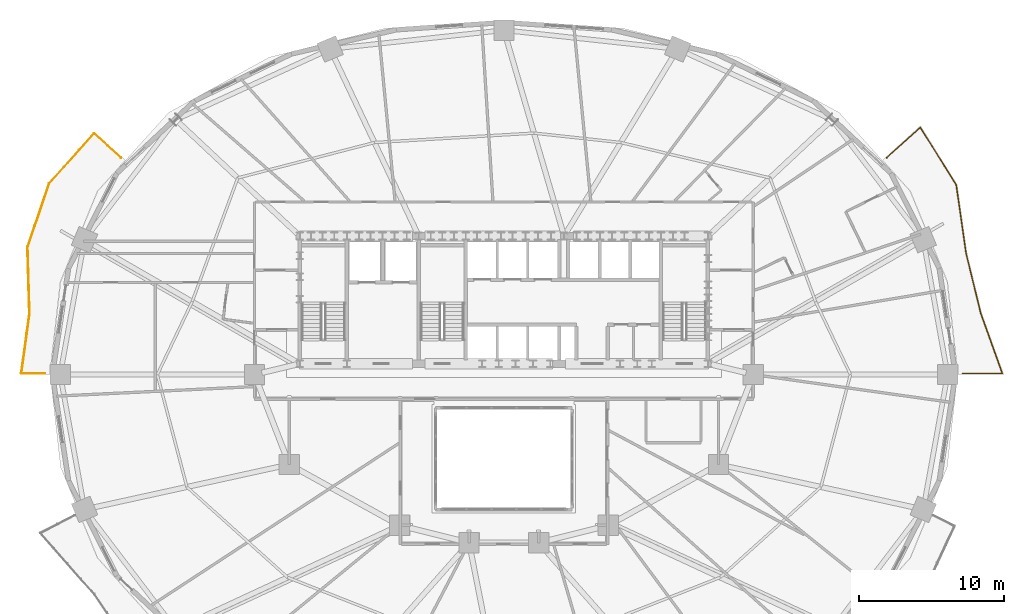
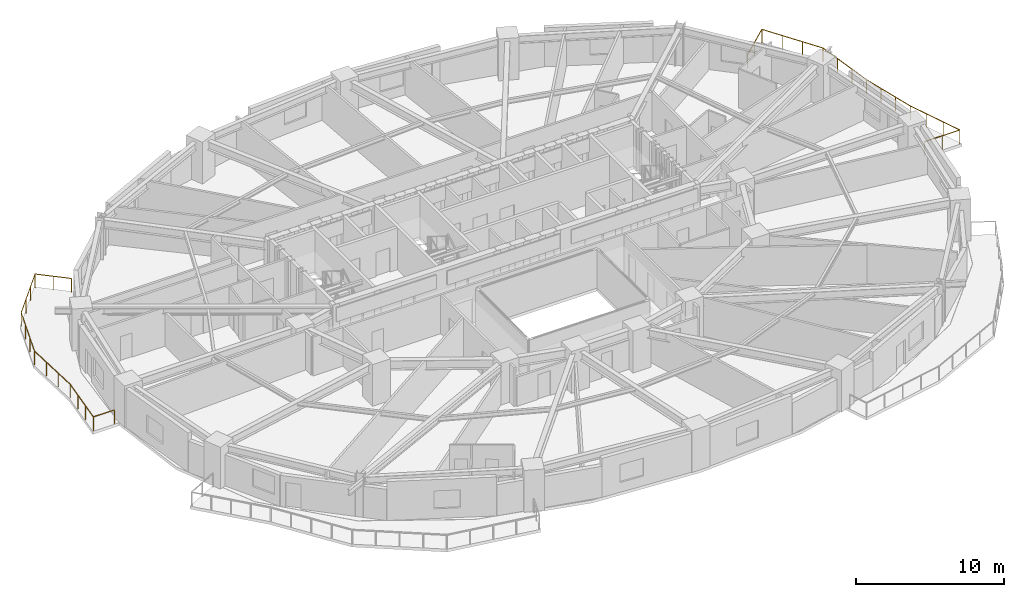
# One storey, part 17 of 17: 2 railings.
"""IFC4 building model written with IfcOpenShell, lengths in metres."""

from ifc_helpers import new_model, si_unit, direction, frame, origin, origin_2d, place, context, subcontext, project, spatial, rectangle, extrude, material, type_object, element, save


model = new_model("IFC4")

# Units and contexts
model_context = context("Model", 3, precision=1e-05, world=origin(), true_north=direction((0.0, 1.0)))
body_context = subcontext(model_context, "Body", "Model", "MODEL_VIEW")
ifc_project = project(units=[si_unit("LENGTHUNIT", "METRE"), si_unit("AREAUNIT", "SQUARE_METRE"), si_unit("VOLUMEUNIT", "CUBIC_METRE"), si_unit("PLANEANGLEUNIT", "RADIAN"), si_unit("MASSUNIT", "GRAM", prefix="KILO")], contexts=[model_context])

# Site, building, storey
site_placement = place(None, origin())
site = spatial("IfcSite", under=ifc_project, at=site_placement, CompositionType="ELEMENT")
building_placement = place(site_placement, origin())
building = spatial("IfcBuilding", under=site, at=building_placement, Name="Haldorwick Loom Tower", CompositionType="ELEMENT")
storey_placement = place(building_placement, frame((0.0, 0.0, 65.39990234375)))
storey = spatial("IfcBuildingStorey", under=building, at=storey_placement, Name="L17", CompositionType="ELEMENT", Elevation=65.39990234375)

# Railings
ifc_material = material(Name="Galvanized Steel CSA G40.21 350W", Category="steel")
railing_type = type_object("IfcRailingType", Name="ARC-RLG-BAL115", PredefinedType="BALUSTRADE", material=ifc_material)
railing_1_placement = place(storey_placement, frame((4.36083984375, 26.080078125, 0.0)))
element("IfcRailing", 1, at=railing_1_placement, inside=storey, type_object=railing_type, Name="L17 Outdoor Terrace Guardrail SLB-L17-BAL_WNW-1", PredefinedType="BALUSTRADE", context=body_context, shape_type="SweptSolid", body=[
    extrude(rectangle(XDim=0.048095703125, YDim=0.048095703125, at=origin_2d()), frame((0.0, 0.0, 1.1259765625), z_axis=(-1.0, 0.0, 0.0), x_axis=(0.0, -1.0, 0.0)), (0.0, 0.0, 1.0), 1.63671875),
    extrude(rectangle(XDim=0.048095703125, YDim=0.048095703125, at=origin_2d()), frame((-1.63671875, 0.0, 1.1259765625), z_axis=(0.136057133851, 0.990700992393, 0.0), x_axis=(-0.990700992393, 0.136057133851, 0.0)), (0.0, 0.0, 1.0), 4.143310546875),
    extrude(rectangle(XDim=0.048095703125, YDim=0.048095703125, at=origin_2d()), frame((-1.072998046875, 4.104736328125, 1.1259765625), z_axis=(0.073871685515, 0.997267754457, 0.0), x_axis=(-0.997267754457, 0.073871685515, 0.0)), (0.0, 0.0, 1.0), 0.006591796875),
    extrude(rectangle(XDim=0.048095703125, YDim=0.048095703125, at=origin_2d()), frame((-1.072509765625, 4.111328125, 1.1259765625), z_axis=(0.03701166051, 0.999314833767, 0.0), x_axis=(-0.999314833767, 0.03701166051, 0.0)), (0.0, 0.0, 1.0), 0.006591796875),
    extrude(rectangle(XDim=0.048095703125, YDim=0.048095703125, at=origin_2d()), frame((-1.072265625, 4.117919921875, 1.1259765625), z_axis=(-0.029323982947, 0.999569959545, 0.0), x_axis=(-0.999569959545, -0.029323982947, 0.0)), (0.0, 0.0, 1.0), 4.58740234375),
    extrude(rectangle(XDim=0.048095703125, YDim=0.048095703125, at=origin_2d()), frame((-1.206787109375, 8.703369140625, 1.1259765625), z_axis=(0.32182984281, 0.946797524435, 0.0), x_axis=(-0.946797524435, 0.32182984281, 0.0)), (0.0, 0.0, 1.0), 4.623779296875),
    extrude(rectangle(XDim=0.048095703125, YDim=0.048095703125, at=origin_2d()), frame((0.28125, 13.0810546875, 1.1259765625), z_axis=(0.664640925369, 0.747162927563, 0.0), x_axis=(-0.747162927563, 0.664640925369, 0.0)), (0.0, 0.0, 1.0), 4.647705078125),
    extrude(rectangle(XDim=0.048095703125, YDim=0.048095703125, at=origin_2d()), frame((3.370361328125, 16.5537109375, 1.1259765625), z_axis=(0.74353574083, -0.668696195674, 0.0), x_axis=(0.668696195674, 0.74353574083, 0.0)), (0.0, 0.0, 1.0), 2.511962890625),
    extrude(rectangle(XDim=0.0419921875, YDim=0.0419921875, at=origin_2d()), origin(), (0.0, 0.0, 1.0), 1.101806640625),
    extrude(rectangle(XDim=0.0419921875, YDim=0.0419921875, at=origin_2d()), frame((-1.63671875, 0.0, 0.0)), (0.0, 0.0, 1.0), 1.101806640625),
    extrude(rectangle(XDim=0.0419921875, YDim=0.0419921875, at=origin_2d()), frame((-1.44873046875, 1.3681640625, 0.0)), (0.0, 0.0, 1.0), 1.101806640625),
    extrude(rectangle(XDim=0.0419921875, YDim=0.0419921875, at=origin_2d()), frame((-1.260986328125, 2.736572265625, 0.0)), (0.0, 0.0, 1.0), 1.101806640625),
    extrude(rectangle(XDim=0.0419921875, YDim=0.0419921875, at=origin_2d()), frame((-1.072998046875, 4.104736328125, 0.0)), (0.0, 0.0, 1.0), 1.101806640625),
    extrude(rectangle(XDim=0.0419921875, YDim=0.0419921875, at=origin_2d()), frame((-1.1171875, 5.646484375, 0.0)), (0.0, 0.0, 1.0), 1.101806640625),
    extrude(rectangle(XDim=0.0419921875, YDim=0.0419921875, at=origin_2d()), frame((-1.161865234375, 7.1748046875, 0.0)), (0.0, 0.0, 1.0), 1.101806640625),
    extrude(rectangle(XDim=0.0419921875, YDim=0.0419921875, at=origin_2d()), frame((-1.206787109375, 8.703369140625, 0.0)), (0.0, 0.0, 1.0), 1.101806640625),
    extrude(rectangle(XDim=0.0419921875, YDim=0.0419921875, at=origin_2d()), frame((-0.710693359375, 10.16259765625, 0.0)), (0.0, 0.0, 1.0), 1.101806640625),
    extrude(rectangle(XDim=0.0419921875, YDim=0.0419921875, at=origin_2d()), frame((-0.21484375, 11.621826171875, 0.0)), (0.0, 0.0, 1.0), 1.101806640625),
    extrude(rectangle(XDim=0.0419921875, YDim=0.0419921875, at=origin_2d()), frame((0.28125, 13.0810546875, 0.0)), (0.0, 0.0, 1.0), 1.101806640625),
    extrude(rectangle(XDim=0.0419921875, YDim=0.0419921875, at=origin_2d()), frame((1.31103515625, 14.238525390625, 0.0)), (0.0, 0.0, 1.0), 1.101806640625),
    extrude(rectangle(XDim=0.0419921875, YDim=0.0419921875, at=origin_2d()), frame((2.340576171875, 15.396240234375, 0.0)), (0.0, 0.0, 1.0), 1.101806640625),
    extrude(rectangle(XDim=0.0419921875, YDim=0.0419921875, at=origin_2d()), frame((3.370361328125, 16.5537109375, 0.0)), (0.0, 0.0, 1.0), 1.101806640625),
    extrude(rectangle(XDim=0.0419921875, YDim=0.0419921875, at=origin_2d()), frame((4.30419921875, 15.7138671875, 0.0)), (0.0, 0.0, 1.0), 1.101806640625),
    extrude(rectangle(XDim=0.0419921875, YDim=0.0419921875, at=origin_2d()), frame((5.238037109375, 14.8740234375, 0.0)), (0.0, 0.0, 1.0), 1.101806640625),
])
railing_2_placement = place(storey_placement, frame((62.400390625, 40.955078125, 0.0)))
element("IfcRailing", 2, at=railing_2_placement, inside=storey, type_object=railing_type, Name="L17 Outdoor Terrace Guardrail SLB-L17-BAL_ENE-1", PredefinedType="BALUSTRADE", context=body_context, shape_type="SweptSolid", body=[
    extrude(rectangle(XDim=0.048095703125, YDim=0.048095703125, at=origin_2d()), frame((0.0, 0.0, 1.1259765625), z_axis=(0.741624845673, 0.670814868858, 0.0), x_axis=(-0.670814868858, 0.741624845673, 0.0)), (0.0, 0.0, 1.0), 3.116943359375),
    extrude(rectangle(XDim=0.048095703125, YDim=0.048095703125, at=origin_2d()), frame((2.3115234375, 2.0908203125, 1.1259765625), z_axis=(0.529563321948, -0.848270409744, 0.0), x_axis=(0.848270409744, 0.529563321948, 0.0)), (0.0, 0.0, 1.0), 4.685791015625),
    extrude(rectangle(XDim=0.048095703125, YDim=0.048095703125, at=origin_2d()), frame((4.79296875, -1.884033203125, 1.1259765625), z_axis=(0.14191859397, -0.989878332264, 0.0), x_axis=(0.989878332264, 0.14191859397, 0.0)), (0.0, 0.0, 1.0), 4.742919921875),
    extrude(rectangle(XDim=0.048095703125, YDim=0.048095703125, at=origin_2d()), frame((5.466064453125, -6.578857421875, 1.1259765625), z_axis=(0.190021906566, -0.98177985059, 0.0), x_axis=(0.98177985059, 0.190021906566, 0.0)), (0.0, 0.0, 1.0), 0.0078125),
    extrude(rectangle(XDim=0.048095703125, YDim=0.048095703125, at=origin_2d()), frame((5.467529296875, -6.58642578125, 1.1259765625), z_axis=(0.237633699165, -0.971354839912, 0.0), x_axis=(0.971354839912, 0.237633699165, 0.0)), (0.0, 0.0, 1.0), 4.280029296875),
    extrude(rectangle(XDim=0.048095703125, YDim=0.048095703125, at=origin_2d()), frame((6.484619140625, -10.743896484375, 1.1259765625), z_axis=(0.290007395283, -0.957024404433, 0.0), x_axis=(0.957024404433, 0.290007395283, 0.0)), (0.0, 0.0, 1.0), 0.00830078125),
    extrude(rectangle(XDim=0.048095703125, YDim=0.048095703125, at=origin_2d()), frame((6.487060546875, -10.751953125, 1.1259765625), z_axis=(0.338488613886, -0.940970487459, 0.0), x_axis=(0.940970487459, 0.338488613886, 0.0)), (0.0, 0.0, 1.0), 4.381591796875),
    extrude(rectangle(XDim=0.048095703125, YDim=0.048095703125, at=origin_2d()), frame((7.97021484375, -14.875, 1.1259765625), z_axis=(-1.0, 0.0, 0.0), x_axis=(0.0, -1.0, 0.0)), (0.0, 0.0, 1.0), 2.7314453125),
    extrude(rectangle(XDim=0.0419921875, YDim=0.0419921875, at=origin_2d()), origin(), (0.0, 0.0, 1.0), 1.101806640625),
    extrude(rectangle(XDim=0.0419921875, YDim=0.0419921875, at=origin_2d()), frame((1.15576171875, 1.04541015625, 0.0)), (0.0, 0.0, 1.0), 1.101806640625),
    extrude(rectangle(XDim=0.0419921875, YDim=0.0419921875, at=origin_2d()), frame((2.3115234375, 2.0908203125, 0.0)), (0.0, 0.0, 1.0), 1.101806640625),
    extrude(rectangle(XDim=0.0419921875, YDim=0.0419921875, at=origin_2d()), frame((3.138671875, 0.765869140625, 0.0)), (0.0, 0.0, 1.0), 1.101806640625),
    extrude(rectangle(XDim=0.0419921875, YDim=0.0419921875, at=origin_2d()), frame((3.9658203125, -0.55908203125, 0.0)), (0.0, 0.0, 1.0), 1.101806640625),
    extrude(rectangle(XDim=0.0419921875, YDim=0.0419921875, at=origin_2d()), frame((4.79296875, -1.884033203125, 0.0)), (0.0, 0.0, 1.0), 1.101806640625),
    extrude(rectangle(XDim=0.0419921875, YDim=0.0419921875, at=origin_2d()), frame((5.017333984375, -3.448974609375, 0.0)), (0.0, 0.0, 1.0), 1.101806640625),
    extrude(rectangle(XDim=0.0419921875, YDim=0.0419921875, at=origin_2d()), frame((5.24169921875, -5.013916015625, 0.0)), (0.0, 0.0, 1.0), 1.101806640625),
    extrude(rectangle(XDim=0.0419921875, YDim=0.0419921875, at=origin_2d()), frame((5.466064453125, -6.578857421875, 0.0)), (0.0, 0.0, 1.0), 1.101806640625),
    extrude(rectangle(XDim=0.0419921875, YDim=0.0419921875, at=origin_2d()), frame((5.806640625, -7.97216796875, 0.0)), (0.0, 0.0, 1.0), 1.101806640625),
    extrude(rectangle(XDim=0.0419921875, YDim=0.0419921875, at=origin_2d()), frame((6.1455078125, -9.358154296875, 0.0)), (0.0, 0.0, 1.0), 1.101806640625),
    extrude(rectangle(XDim=0.0419921875, YDim=0.0419921875, at=origin_2d()), frame((6.484619140625, -10.743896484375, 0.0)), (0.0, 0.0, 1.0), 1.101806640625),
    extrude(rectangle(XDim=0.0419921875, YDim=0.0419921875, at=origin_2d()), frame((6.9814453125, -12.126220703125, 0.0)), (0.0, 0.0, 1.0), 1.101806640625),
    extrude(rectangle(XDim=0.0419921875, YDim=0.0419921875, at=origin_2d()), frame((7.475830078125, -13.500732421875, 0.0)), (0.0, 0.0, 1.0), 1.101806640625),
    extrude(rectangle(XDim=0.0419921875, YDim=0.0419921875, at=origin_2d()), frame((7.97021484375, -14.875, 0.0)), (0.0, 0.0, 1.0), 1.101806640625),
    extrude(rectangle(XDim=0.0419921875, YDim=0.0419921875, at=origin_2d()), frame((6.6044921875, -14.875, 0.0)), (0.0, 0.0, 1.0), 1.101806640625),
    extrude(rectangle(XDim=0.0419921875, YDim=0.0419921875, at=origin_2d()), frame((5.23876953125, -14.875, 0.0)), (0.0, 0.0, 1.0), 1.101806640625),
])

save(model, "model.ifc")
